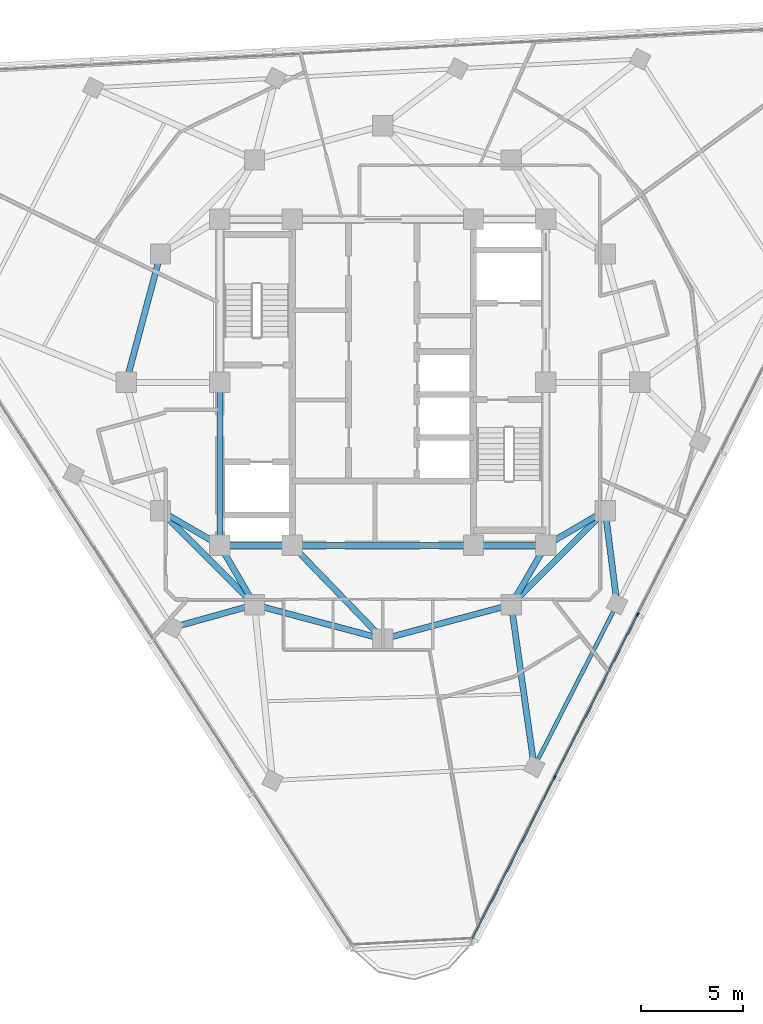
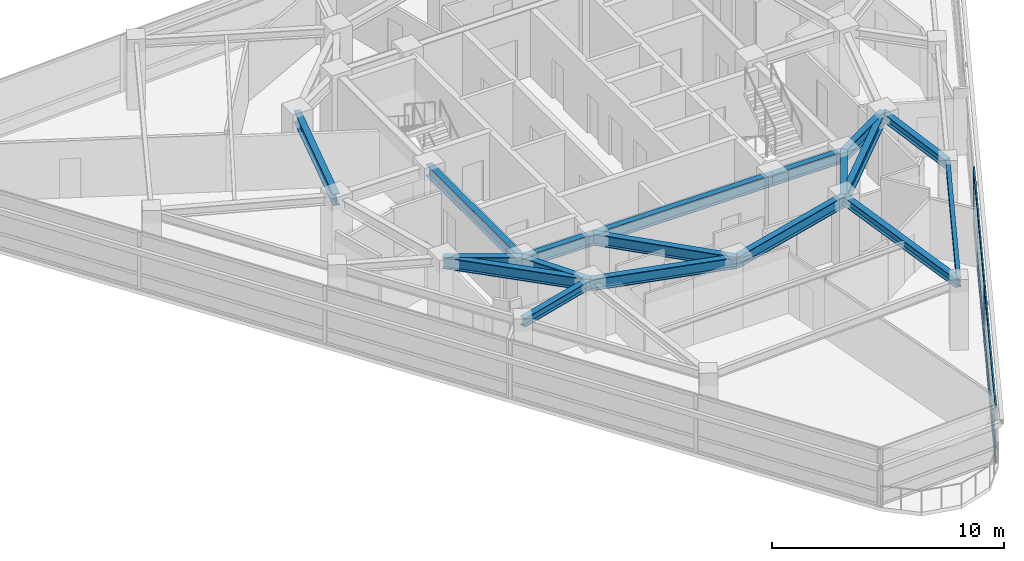
# One storey, part 3 of 15: 18 beams, 8 members, 1 element without a shape of its own.
"""IFC4 building model written with IfcOpenShell, lengths in metres."""

from ifc_helpers import new_model, si_unit, direction, frame, origin, origin_2d, place, context, subcontext, project, spatial, rectangle, i_section, extrude, material, layer, layer_set, material_profile, profile_set, type_object, element, aggregate, save


model = new_model("IFC4")

# Units and contexts
model_context = context("Model", 3, precision=1e-05, world=origin(), true_north=direction((0.0, 1.0)))
body_context = subcontext(model_context, "Body", "Model", "MODEL_VIEW")
ifc_project = project(units=[si_unit("LENGTHUNIT", "METRE"), si_unit("AREAUNIT", "SQUARE_METRE"), si_unit("VOLUMEUNIT", "CUBIC_METRE"), si_unit("PLANEANGLEUNIT", "RADIAN"), si_unit("MASSUNIT", "GRAM", prefix="KILO")], contexts=[model_context])

# Site, building, storey
site_placement = place(None, origin())
site = spatial("IfcSite", under=ifc_project, at=site_placement, CompositionType="ELEMENT")
building_placement = place(site_placement, origin())
building = spatial("IfcBuilding", under=site, at=building_placement, Name="Terralouvre Media Tower", CompositionType="ELEMENT")
storey_placement = place(building_placement, frame((0.0, 0.0, 255.89990234375)))
storey = spatial("IfcBuildingStorey", under=building, at=storey_placement, Name="L66", CompositionType="ELEMENT", Elevation=255.89990234375)

# Curtain wall, members
ifc_material_1 = material(Name="Low-iron laminated double glazing with solar-control coating", Category="glass")
ifc_layer = layer(ifc_material_1, 0.1650390625, Name="Upper Executive Tower Curtain Wall CW-05")
ifc_layer_set = layer_set([ifc_layer], Name="Low-iron laminated double glazing with solar-control coating")
curtain_wall_type = type_object("IfcCurtainWallType", Name="Upper Executive Tower Curtain Wall CW-05", PredefinedType="NOTDEFINED", material=ifc_layer_set)
curtain_wall_placement = place(storey_placement, origin())
curtain_wall = element("IfcCurtainWall", 1, at=curtain_wall_placement, inside=storey, type_object=curtain_wall_type, Name="L66 Facade Curtain Wall F0", PredefinedType="NOTDEFINED")
ifc_material_2 = material(Name="Anodised extruded aluminium 6063-T6", Category="aluminium")
ifc_material_profile_1 = material_profile(ifc_material_2, rectangle(XDim=0.074951171875, YDim=0.14990234375, at=origin_2d()), Name="ALU 75x150")
ifc_profile_set_1 = profile_set([ifc_material_profile_1], Name="Anodised extruded aluminium 6063-T6")
member_type_1 = type_object("IfcMemberType", Name="Curtain-Wall Horizontal Transom TR-150", PredefinedType="USERDEFINED", material=ifc_profile_set_1)
member_1_placement = place(storey_placement, frame((4.3994140625, -27.297607421875, 0.03759765625), z_axis=(0.453977864671, 0.891012961964, 0.0), x_axis=(-0.891012961964, 0.453977864671, 0.0)))
member_1 = element("IfcMember", 2, at=member_1_placement, type_object=member_type_1, Name="CW-05 transom 1.1", ObjectType="TRANSOM", PredefinedType="USERDEFINED", context=body_context, shape_type="SweptSolid", body=[
    extrude(rectangle(XDim=0.074951171875, YDim=0.14990234375, at=origin_2d()), origin(), (0.0, 0.0, 1.0), 8.84765625),
])
member_2_placement = place(storey_placement, frame((4.3994140625, -27.297607421875, 0.800048828125), z_axis=(0.453977864671, 0.891012961964, 0.0), x_axis=(-0.891012961964, 0.453977864671, 0.0)))
member_2 = element("IfcMember", 3, at=member_2_placement, type_object=member_type_1, Name="CW-05 transom 1.2", ObjectType="TRANSOM", PredefinedType="USERDEFINED", context=body_context, shape_type="SweptSolid", body=[
    extrude(rectangle(XDim=0.074951171875, YDim=0.14990234375, at=origin_2d()), origin(), (0.0, 0.0, 1.0), 8.84765625),
])
member_3_placement = place(storey_placement, frame((4.3994140625, -27.297607421875, 2.962646484375), z_axis=(0.453977864671, 0.891012961964, 0.0), x_axis=(-0.891012961964, 0.453977864671, 0.0)))
member_3 = element("IfcMember", 4, at=member_3_placement, type_object=member_type_1, Name="CW-05 transom 1.3", ObjectType="TRANSOM", PredefinedType="USERDEFINED", context=body_context, shape_type="SweptSolid", body=[
    extrude(rectangle(XDim=0.074951171875, YDim=0.14990234375, at=origin_2d()), origin(), (0.0, 0.0, 1.0), 8.84765625),
])
member_4_placement = place(storey_placement, frame((8.449951171875, -19.347412109375, 0.03759765625), z_axis=(0.454015101289, 0.890993988645, 0.0), x_axis=(-0.890993988645, 0.454015101289, 0.0)))
member_4 = element("IfcMember", 5, at=member_4_placement, type_object=member_type_1, Name="CW-05 transom 2.1", ObjectType="TRANSOM", PredefinedType="USERDEFINED", context=body_context, shape_type="SweptSolid", body=[
    extrude(rectangle(XDim=0.074951171875, YDim=0.14990234375, at=origin_2d()), origin(), (0.0, 0.0, 1.0), 8.885009765625),
])
member_5_placement = place(storey_placement, frame((8.449951171875, -19.347412109375, 0.800048828125), z_axis=(0.454015101289, 0.890993988645, 0.0), x_axis=(-0.890993988645, 0.454015101289, 0.0)))
member_5 = element("IfcMember", 6, at=member_5_placement, type_object=member_type_1, Name="CW-05 transom 2.2", ObjectType="TRANSOM", PredefinedType="USERDEFINED", context=body_context, shape_type="SweptSolid", body=[
    extrude(rectangle(XDim=0.074951171875, YDim=0.14990234375, at=origin_2d()), origin(), (0.0, 0.0, 1.0), 8.885009765625),
])
member_6_placement = place(storey_placement, frame((8.449951171875, -19.347412109375, 2.962646484375), z_axis=(0.454015101289, 0.890993988645, 0.0), x_axis=(-0.890993988645, 0.454015101289, 0.0)))
member_6 = element("IfcMember", 7, at=member_6_placement, type_object=member_type_1, Name="CW-05 transom 2.3", ObjectType="TRANSOM", PredefinedType="USERDEFINED", context=body_context, shape_type="SweptSolid", body=[
    extrude(rectangle(XDim=0.074951171875, YDim=0.14990234375, at=origin_2d()), origin(), (0.0, 0.0, 1.0), 8.885009765625),
])
ifc_material_3 = material(Name="Anodised extruded aluminium 6063-T6", Category="aluminium")
ifc_material_profile_2 = material_profile(ifc_material_3, rectangle(XDim=0.074951171875, YDim=0.179931640625, at=origin_2d()), Name="ALU 75x180")
ifc_profile_set_2 = profile_set([ifc_material_profile_2], Name="Anodised extruded aluminium 6063-T6")
member_type_2 = type_object("IfcMemberType", Name="Curtain-Wall Vertical Mullion ML-180", PredefinedType="MULLION", material=ifc_profile_set_2)
member_7_placement = place(storey_placement, frame((8.43310546875, -19.380859375, 0.0), z_axis=(0.0, 0.0, 1.0), x_axis=(-0.891006553308, 0.45399044259, 0.0)))
member_7 = element("IfcMember", 8, at=member_7_placement, type_object=member_type_2, Name="CW-05 mullion 2", PredefinedType="MULLION", context=body_context, shape_type="SweptSolid", body=[
    extrude(rectangle(XDim=0.074951171875, YDim=0.179931640625, at=origin_2d()), origin(), (0.0, 0.0, 1.0), 3.0),
])
member_8_placement = place(storey_placement, frame((12.500732421875, -11.3974609375, 0.0), z_axis=(0.0, 0.0, 1.0), x_axis=(-0.891006553308, 0.45399044259, 0.0)))
member_8 = element("IfcMember", 9, at=member_8_placement, type_object=member_type_2, Name="CW-05 mullion 3", PredefinedType="MULLION", context=body_context, shape_type="SweptSolid", body=[
    extrude(rectangle(XDim=0.074951171875, YDim=0.179931640625, at=origin_2d()), origin(), (0.0, 0.0, 1.0), 3.0),
])
aggregate(curtain_wall, [member_7, member_8, member_1, member_2, member_3, member_4, member_5, member_6])

# Beams
ifc_material_4 = material(Name="Structural steel S355J2", Category="steel")
ifc_material_profile_3 = material_profile(ifc_material_4, i_section(OverallWidth=0.18994140625, OverallDepth=0.449951171875, WebThickness=0.009521484375, FlangeThickness=0.0146484375, at=origin_2d()), Name="IPE 450")
ifc_profile_set_3 = profile_set([ifc_material_profile_3], Name="Structural steel S355J2")
beam_type_1 = type_object("IfcBeamType", Name="Perimeter Spandrel Beam SPB-450 (IPE 450)", PredefinedType="SPANDREL", material=ifc_profile_set_3)
beam_1_placement = place(storey_placement, frame((7.42626953125, -18.867919921875, 3.275146484375), z_axis=(0.453980068772, 0.891011838955, 0.0), x_axis=(-0.891011838955, 0.453980068772, 0.0)))
element("IfcBeam", 10, at=beam_1_placement, inside=storey, type_object=beam_type_1, Name="L66 Framing Beam BM-L66-PR04", PredefinedType="SPANDREL", context=body_context, shape_type="SweptSolid", body=[
    extrude(i_section(OverallWidth=0.18994140625, OverallDepth=0.449951171875, WebThickness=0.009521484375, FlangeThickness=0.0146484375, at=origin_2d()), origin(), (0.0, 0.0, 1.0), 8.9599609375),
])
ifc_material_5 = material(Name="Structural steel S355J2", Category="steel")
ifc_material_profile_4 = material_profile(ifc_material_5, i_section(OverallWidth=0.300048828125, OverallDepth=0.449951171875, WebThickness=0.013916015625, FlangeThickness=0.02587890625, at=origin_2d()), Name="HEB 450")
ifc_profile_set_4 = profile_set([ifc_material_profile_4], Name="Structural steel S355J2")
beam_type_2 = type_object("IfcBeamType", Name="Primary Floor Girder B-HEB450 (HEB 450)", PredefinedType="BEAM", material=ifc_profile_set_4)
beam_2_placement = place(storey_placement, frame((-6.300048828125, -10.911865234375, 3.275146484375), z_axis=(-0.963188145668, -0.268828190571, 0.0), x_axis=(0.268828190571, -0.963188145668, 0.0)))
element("IfcBeam", 11, at=beam_2_placement, inside=storey, type_object=beam_type_2, Name="L66 Framing Beam BM-L66-RD02", PredefinedType="BEAM", context=body_context, shape_type="SweptSolid", body=[
    extrude(i_section(OverallWidth=0.300048828125, OverallDepth=0.449951171875, WebThickness=0.013916015625, FlangeThickness=0.02587890625, at=origin_2d()), origin(), (0.0, 0.0, 1.0), 4.145751953125),
])
beam_3_placement = place(storey_placement, frame((6.300048828125, -10.911865234375, 3.275146484375), z_axis=(0.140157905782, -0.990129164022, 0.0), x_axis=(0.990129164022, 0.140157905782, 0.0)))
element("IfcBeam", 12, at=beam_3_placement, inside=storey, type_object=beam_type_2, Name="L66 Framing Beam BM-L66-RD04", PredefinedType="BEAM", context=body_context, shape_type="SweptSolid", body=[
    extrude(i_section(OverallWidth=0.300048828125, OverallDepth=0.449951171875, WebThickness=0.013916015625, FlangeThickness=0.02587890625, at=origin_2d()), origin(), (0.0, 0.0, 1.0), 8.035400390625),
])
beam_4_placement = place(storey_placement, frame((10.911865234375, -6.300048828125, 3.275146484375), z_axis=(0.125946128673, -0.992037082307, 0.0), x_axis=(0.992037082307, 0.125946128673, 0.0)))
element("IfcBeam", 13, at=beam_4_placement, inside=storey, type_object=beam_type_2, Name="L66 Framing Beam BM-L66-RD05", PredefinedType="BEAM", context=body_context, shape_type="SweptSolid", body=[
    extrude(i_section(OverallWidth=0.300048828125, OverallDepth=0.449951171875, WebThickness=0.013916015625, FlangeThickness=0.02587890625, at=origin_2d()), origin(), (0.0, 0.0, 1.0), 4.621337890625),
])
ifc_material_6 = material(Name="Structural steel S460M", Category="steel")
ifc_material_profile_5 = material_profile(ifc_material_6, i_section(OverallWidth=0.300048828125, OverallDepth=0.60009765625, WebThickness=0.015380859375, FlangeThickness=0.030029296875, at=origin_2d()), Name="HEB 600")
ifc_profile_set_5 = profile_set([ifc_material_profile_5], Name="Structural steel S460M")
beam_type_3 = type_object("IfcBeamType", Name="Primary Floor Girder B-HEB600 (HEB 600)", PredefinedType="BEAM", material=ifc_profile_set_5)
beam_5_placement = place(storey_placement, frame((-8.0, -8.0, 3.2001953125), z_axis=(1.0, 0.0, 0.0), x_axis=(0.0, 1.0, 0.0)))
element("IfcBeam", 14, at=beam_5_placement, inside=storey, type_object=beam_type_3, Name="L66 Framing Beam BM-L66-CPR01", PredefinedType="BEAM", context=body_context, shape_type="SweptSolid", body=[
    extrude(i_section(OverallWidth=0.300048828125, OverallDepth=0.60009765625, WebThickness=0.015380859375, FlangeThickness=0.030029296875, at=origin_2d()), origin(), (0.0, 0.0, 1.0), 3.550048828125),
])
beam_6_placement = place(storey_placement, frame((-4.449951171875, -8.0, 3.2001953125), z_axis=(1.0, 0.0, 0.0), x_axis=(0.0, 1.0, 0.0)))
element("IfcBeam", 15, at=beam_6_placement, inside=storey, type_object=beam_type_3, Name="L66 Framing Beam BM-L66-CPR02", PredefinedType="BEAM", context=body_context, shape_type="SweptSolid", body=[
    extrude(i_section(OverallWidth=0.300048828125, OverallDepth=0.60009765625, WebThickness=0.015380859375, FlangeThickness=0.030029296875, at=origin_2d()), origin(), (0.0, 0.0, 1.0), 8.89990234375),
])
beam_7_placement = place(storey_placement, frame((4.449951171875, -8.0, 3.2001953125), z_axis=(1.0, 0.0, 0.0), x_axis=(0.0, 1.0, 0.0)))
element("IfcBeam", 16, at=beam_7_placement, inside=storey, type_object=beam_type_3, Name="L66 Framing Beam BM-L66-CPR03", PredefinedType="BEAM", context=body_context, shape_type="SweptSolid", body=[
    extrude(i_section(OverallWidth=0.300048828125, OverallDepth=0.60009765625, WebThickness=0.015380859375, FlangeThickness=0.030029296875, at=origin_2d()), origin(), (0.0, 0.0, 1.0), 3.550048828125),
])
beam_8_placement = place(storey_placement, frame((-8.0, 0.0, 3.2001953125), z_axis=(0.0, -1.0, 0.0), x_axis=(1.0, 0.0, 0.0)))
element("IfcBeam", 17, at=beam_8_placement, inside=storey, type_object=beam_type_3, Name="L66 Framing Beam BM-L66-CPR10", PredefinedType="BEAM", context=body_context, shape_type="SweptSolid", body=[
    extrude(i_section(OverallWidth=0.300048828125, OverallDepth=0.60009765625, WebThickness=0.015380859375, FlangeThickness=0.030029296875, at=origin_2d()), origin(), (0.0, 0.0, 1.0), 8.0),
])
beam_9_placement = place(storey_placement, frame((-10.911865234375, -6.300048828125, 3.2001953125), z_axis=(0.707106781187, -0.707106781187, 0.0), x_axis=(0.707106781187, 0.707106781187, 0.0)))
element("IfcBeam", 18, at=beam_9_placement, inside=storey, type_object=beam_type_3, Name="L66 Framing Beam BM-L66-MR01", PredefinedType="BEAM", context=body_context, shape_type="SweptSolid", body=[
    extrude(i_section(OverallWidth=0.300048828125, OverallDepth=0.60009765625, WebThickness=0.015380859375, FlangeThickness=0.030029296875, at=origin_2d()), origin(), (0.0, 0.0, 1.0), 6.52197265625),
])
for number, where, z_axis, x_axis, name in (
    (19, (-6.300048828125, -10.911865234375, 3.2001953125), (0.965920481897, -0.258838989821, 0.0), (0.258838989821, 0.965920481897, 0.0), "L66 Framing Beam BM-L66-MR02"),
    (20, (0.0, -12.60009765625, 3.2001953125), (0.965920481897, 0.258838989821, 0.0), (-0.258838989821, 0.965920481897, 0.0), "L66 Framing Beam BM-L66-MR03"),
):
    element("IfcBeam", number, at=place(storey_placement, frame(where, z_axis=z_axis, x_axis=x_axis)), inside=storey, type_object=beam_type_3, Name=name, PredefinedType="BEAM", context=body_context, shape_type="SweptSolid", body=[
        extrude(i_section(OverallWidth=0.300048828125, OverallDepth=0.60009765625, WebThickness=0.015380859375, FlangeThickness=0.030029296875, at=origin_2d()), origin(), (0.0, 0.0, 1.0), 6.522216796875),
    ])
beam_10_placement = place(storey_placement, frame((6.300048828125, -10.911865234375, 3.2001953125), z_axis=(0.707106781187, 0.707106781187, 0.0), x_axis=(-0.707106781187, 0.707106781187, 0.0)))
element("IfcBeam", 21, at=beam_10_placement, inside=storey, type_object=beam_type_3, Name="L66 Framing Beam BM-L66-MR04", PredefinedType="BEAM", context=body_context, shape_type="SweptSolid", body=[
    extrude(i_section(OverallWidth=0.300048828125, OverallDepth=0.60009765625, WebThickness=0.015380859375, FlangeThickness=0.030029296875, at=origin_2d()), origin(), (0.0, 0.0, 1.0), 6.52197265625),
])
beam_11_placement = place(storey_placement, frame((-10.911865234375, 6.300048828125, 3.2001953125), z_axis=(-0.258838989821, -0.965920481897, 0.0), x_axis=(0.965920481897, -0.258838989821, 0.0)))
element("IfcBeam", 22, at=beam_11_placement, inside=storey, type_object=beam_type_3, Name="L66 Framing Beam BM-L66-MR11", PredefinedType="BEAM", context=body_context, shape_type="SweptSolid", body=[
    extrude(i_section(OverallWidth=0.300048828125, OverallDepth=0.60009765625, WebThickness=0.015380859375, FlangeThickness=0.030029296875, at=origin_2d()), origin(), (0.0, 0.0, 1.0), 6.522216796875),
])
for number, where, z_axis, x_axis, name in (
    (23, (-8.0, -8.0, 3.2001953125), (-0.863602894532, 0.504172629717, 0.0), (-0.504172629717, -0.863602894532, 0.0), "L66 Framing Beam BM-L66-CM01"),
    (24, (-8.0, -8.0, 3.2001953125), (0.504172629717, -0.863602894532, 0.0), (0.863602894532, 0.504172629717, 0.0), "L66 Framing Beam BM-L66-CM02"),
):
    element("IfcBeam", number, at=place(storey_placement, frame(where, z_axis=z_axis, x_axis=x_axis)), inside=storey, type_object=beam_type_3, Name=name, PredefinedType="BEAM", context=body_context, shape_type="SweptSolid", body=[
        extrude(i_section(OverallWidth=0.300048828125, OverallDepth=0.60009765625, WebThickness=0.015380859375, FlangeThickness=0.030029296875, at=origin_2d()), origin(), (0.0, 0.0, 1.0), 3.371826171875),
    ])
beam_12_placement = place(storey_placement, frame((-4.449951171875, -8.0, 3.2001953125), z_axis=(0.695279715726, -0.718739255155, 0.0), x_axis=(0.718739255155, 0.695279715726, 0.0)))
element("IfcBeam", 25, at=beam_12_placement, inside=storey, type_object=beam_type_3, Name="L66 Framing Beam BM-L66-CM03", PredefinedType="BEAM", context=body_context, shape_type="SweptSolid", body=[
    extrude(i_section(OverallWidth=0.300048828125, OverallDepth=0.60009765625, WebThickness=0.015380859375, FlangeThickness=0.030029296875, at=origin_2d()), origin(), (0.0, 0.0, 1.0), 6.400146484375),
])
for number, where, z_axis, x_axis, name in (
    (26, (8.0, -8.0, 3.2001953125), (-0.504172629717, -0.863602894532, 0.0), (0.863602894532, -0.504172629717, 0.0), "L66 Framing Beam BM-L66-CM04"),
    (27, (8.0, -8.0, 3.2001953125), (0.863602894532, 0.504172629717, 0.0), (-0.504172629717, 0.863602894532, 0.0), "L66 Framing Beam BM-L66-CM05"),
):
    element("IfcBeam", number, at=place(storey_placement, frame(where, z_axis=z_axis, x_axis=x_axis)), inside=storey, type_object=beam_type_3, Name=name, PredefinedType="BEAM", context=body_context, shape_type="SweptSolid", body=[
        extrude(i_section(OverallWidth=0.300048828125, OverallDepth=0.60009765625, WebThickness=0.015380859375, FlangeThickness=0.030029296875, at=origin_2d()), origin(), (0.0, 0.0, 1.0), 3.371826171875),
    ])

save(model, "model.ifc")
